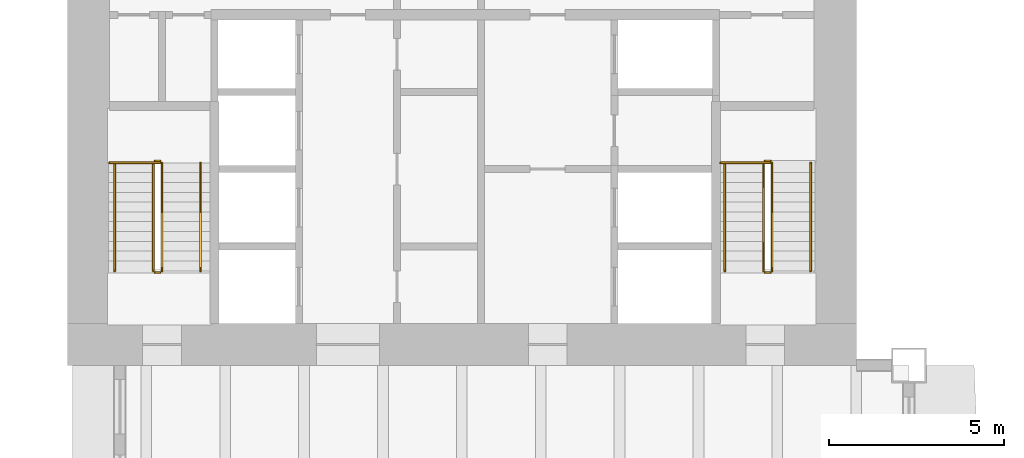
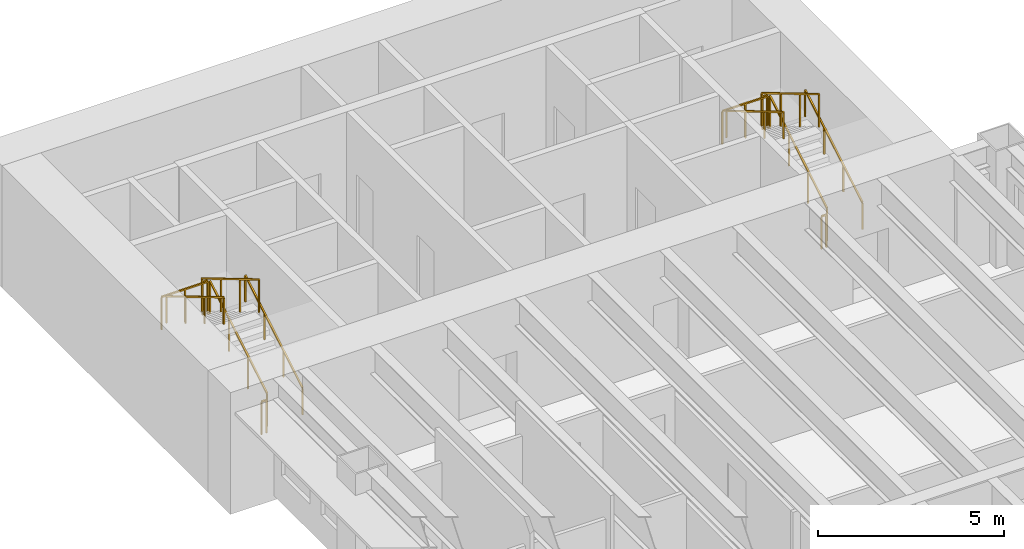
# One storey, part 16 of 16: 14 railings.
"""IFC4 building model written with IfcOpenShell, lengths in metres."""

import ifcopenshell
import ifcopenshell.guid

model = None  # the IFC model being written
_history = None  # IfcOwnerHistory: only IFC2X3 demands one
_inside = {}  # id of a spatial element -> (the spatial element, [elements in it])
_under = {}  # id of a project, library or spatial element -> (it, [spatial elements below it])
_declared = {}  # id of a project -> (the project, [libraries it declares])
_typed = {}  # id of a type object -> (the type object, [elements of that type])
_made_of = {}  # id of a material, layer set ... -> (it, [elements and type objects made of it])


def new_model(schema):
    """Start an empty IFC model of exactly this schema.

    Asked for "IFC4X3", IfcOpenShell would pick the latest addendum, in which some entities
    have other attributes; the version numbers below select the first issue.
    IFC2X3 requires an IfcOwnerHistory on every rooted entity: one is made here for all.
    """
    global model, _history
    if schema == "IFC4X3":
        model = ifcopenshell.file(schema_version=(4, 3, 0, 0))
    else:
        model = ifcopenshell.file(schema=schema)
    _inside.clear()
    _under.clear()
    _declared.clear()
    _typed.clear()
    _made_of.clear()
    _history = None
    if model.schema == "IFC2X3":
        org = make("IfcOrganization", Name="unknown")
        user = make(
            "IfcPersonAndOrganization",
            ThePerson=make("IfcPerson", FamilyName="unknown"),
            TheOrganization=org,
        )
        app = make(
            "IfcApplication",
            ApplicationDeveloper=org,
            Version="unknown",
            ApplicationFullName="unknown",
            ApplicationIdentifier="unknown",
        )
        _history = make(
            "IfcOwnerHistory",
            OwningUser=user,
            OwningApplication=app,
            ChangeAction="ADDED",
            CreationDate=0,
        )
    return model


def make(cls, **values):
    """One entity of the class cls with the attributes given. An attribute that is None is left unset."""
    return model.create_entity(
        cls, **{name: value for name, value in values.items() if value is not None}
    )


def rooted(cls, **values):
    """An entity with a GlobalId (a new one), such as an element, a storey or a relation."""
    return make(cls, GlobalId=ifcopenshell.guid.new(), OwnerHistory=_history, **values)


def si_unit(unit_type, name, prefix=None):
    """IfcSIUnit, for example si_unit("LENGTHUNIT", "METRE", prefix="MILLI")."""
    return make("IfcSIUnit", UnitType=unit_type, Prefix=prefix, Name=name)


def assignment(units):
    """IfcUnitAssignment: the units of a project."""
    return None if units is None else make("IfcUnitAssignment", Units=units)


def point(xyz):
    """IfcCartesianPoint."""
    return None if xyz is None else make("IfcCartesianPoint", Coordinates=xyz)


def direction(xyz):
    """IfcDirection."""
    return None if xyz is None else make("IfcDirection", DirectionRatios=xyz)


def frame(location, z_axis=None, x_axis=None):
    """IfcAxis2Placement3D, a coordinate frame: its origin and axes. An axis left out is left unset."""
    return make(
        "IfcAxis2Placement3D",
        Location=point(location),
        Axis=direction(z_axis),
        RefDirection=direction(x_axis),
    )


def frame_2d(location, x_axis=None):
    """IfcAxis2Placement2D, a coordinate frame in the plane: its origin and x axis."""
    return make(
        "IfcAxis2Placement2D", Location=point(location), RefDirection=direction(x_axis)
    )


def origin():
    """The frame at (0, 0, 0) with its axes left unset."""
    return frame((0.0, 0.0, 0.0))


def origin_2d():
    """The frame at (0, 0) in the plane with its x axis left unset."""
    return frame_2d((0.0, 0.0))


def place(relative_to, where):
    """IfcLocalPlacement: puts the frame where relative to a parent placement (None: the world)."""
    return make(
        "IfcLocalPlacement", PlacementRelTo=relative_to, RelativePlacement=where
    )


def context(
    kind, dimensions, precision=None, world=None, true_north=None, identifier=None
):
    """IfcGeometricRepresentationContext, for example the 3D "Model" context."""
    return make(
        "IfcGeometricRepresentationContext",
        ContextIdentifier=identifier,
        ContextType=kind,
        CoordinateSpaceDimension=dimensions,
        Precision=precision,
        WorldCoordinateSystem=world,
        TrueNorth=true_north,
    )


def subcontext(parent, identifier, kind, view, scale=None):
    """IfcGeometricRepresentationSubContext, for example "Body" below "Model"."""
    return make(
        "IfcGeometricRepresentationSubContext",
        ContextIdentifier=identifier,
        ContextType=kind,
        ParentContext=parent,
        TargetScale=scale,
        TargetView=view,
    )


def project(units=None, contexts=None):
    """IfcProject with its units and contexts."""
    return rooted(
        "IfcProject",
        Name="project",
        RepresentationContexts=contexts,
        UnitsInContext=assignment(units),
    )


def spatial(cls, under=None, at=None, **own):
    """A site, building, storey or space (cls), placed at a placement, below another one or the project."""
    s = rooted(cls, ObjectPlacement=at, **own)
    if under is not None:
        _under.setdefault(under.id(), (under, []))[1].append(s)
    return s


def profile(cls, at=None, kind="AREA", **sizes):
    """A parametric profile (cls). Its sizes go by their IFC names, for example OverallWidth=200.0."""
    return make(cls, ProfileType=kind, Position=at, **sizes)


def rectangle(**sizes):
    """IfcRectangleProfileDef."""
    return profile("IfcRectangleProfileDef", **sizes)


def extrude(swept, where, along, depth):
    """IfcExtrudedAreaSolid: the profile swept, set in the frame where, extruded along a direction by depth."""
    return make(
        "IfcExtrudedAreaSolid",
        SweptArea=swept,
        Position=where,
        ExtrudedDirection=direction(along),
        Depth=depth,
    )


def shape(context_of_items, identifier, shape_type, items):
    """IfcShapeRepresentation: the items that make up one representation, for example the "Body"."""
    return make(
        "IfcShapeRepresentation",
        ContextOfItems=context_of_items,
        RepresentationIdentifier=identifier,
        RepresentationType=shape_type,
        Items=items,
    )


def material(Name=None, Category=None):
    """IfcMaterial."""
    return make("IfcMaterial", Name=Name, Category=Category)


def made_of(thing, what):
    """Note that an element or type object is made of a material, layer set ...; save() writes the relation."""
    if what is not None:
        _made_of.setdefault(what.id(), (what, []))[1].append(thing)
    return thing


def type_object(cls, material=None, **own):
    """A type object (cls), such as IfcWallType, which elements share."""
    return made_of(rooted(cls, **own), material)


def element(
    cls,
    number,
    at=None,
    inside=None,
    cuts=None,
    type_object=None,
    material=None,
    context=None,
    identifier="Body",
    shape_type=None,
    held_by="IfcProductDefinitionShape",
    body=None,
    shapes=None,
    **own,
):
    """One element of the class cls, such as IfcWall. Its Tag is "e" and its number.

    at: its placement. inside: the storey or other place that contains it. cuts: it is an
    opening in that element (IfcRelVoidsElement). A single representation is given by context,
    identifier, shape_type and body (its items); several are given by shapes. held_by: the class
    of the entity that holds the representations. save() writes the other relations.
    """
    e = rooted(cls, Tag="e%d" % number, ObjectPlacement=at, **own)
    if body is not None:
        shapes = [shape(context, identifier, shape_type, body)]
    if shapes is not None:
        e.Representation = make(held_by, Representations=shapes)
    if inside is not None:
        _inside.setdefault(inside.id(), (inside, []))[1].append(e)
    if cuts is not None:
        rooted(
            "IfcRelVoidsElement", RelatingBuildingElement=cuts, RelatedOpeningElement=e
        )
    if type_object is not None:
        _typed.setdefault(type_object.id(), (type_object, []))[1].append(e)
    return made_of(e, material)


def aggregate(whole, parts):
    """IfcRelAggregates: a whole, such as a stair, and the parts it consists of."""
    return rooted("IfcRelAggregates", RelatingObject=whole, RelatedObjects=parts)


def save(model, path):
    """Write the relations noted so far, then the file.

    IfcRelAggregates (storeys below a building ...), IfcRelContainedInSpatialStructure (elements
    in a storey), IfcRelDefinesByType, IfcRelAssociatesMaterial and IfcRelDeclares: one each for
    every whole, place, type object, material and project.
    """
    for whole, parts in _under.values():
        aggregate(whole, parts)
    for where, things in _inside.values():
        rooted(
            "IfcRelContainedInSpatialStructure",
            RelatedElements=things,
            RelatingStructure=where,
        )
    for kind, things in _typed.values():
        rooted("IfcRelDefinesByType", RelatedObjects=things, RelatingType=kind)
    for what, things in _made_of.values():
        rooted("IfcRelAssociatesMaterial", RelatedObjects=things, RelatingMaterial=what)
    for by, libraries in _declared.values():
        rooted("IfcRelDeclares", RelatingContext=by, RelatedDefinitions=libraries)
    model.write(path)


model = new_model("IFC4")

# Units and contexts
model_context = context("Model", 3, precision=1e-05, world=origin(), true_north=direction((0.0, 1.0)))
body_context = subcontext(model_context, "Body", "Model", "MODEL_VIEW")
ifc_project = project(units=[si_unit("LENGTHUNIT", "METRE"), si_unit("AREAUNIT", "SQUARE_METRE"), si_unit("VOLUMEUNIT", "CUBIC_METRE"), si_unit("PLANEANGLEUNIT", "RADIAN"), si_unit("MASSUNIT", "GRAM", prefix="KILO")], contexts=[model_context])

# Site, building, storey
site_placement = place(None, origin())
site = spatial("IfcSite", under=ifc_project, at=site_placement, CompositionType="ELEMENT")
building_placement = place(site_placement, origin())
building = spatial("IfcBuilding", under=site, at=building_placement, Name="Sennacour Bend Tower", CompositionType="ELEMENT")
storey_placement = place(building_placement, frame((0.0, 0.0, 103.0)))
storey = spatial("IfcBuildingStorey", under=building, at=storey_placement, Name="L23", CompositionType="ELEMENT", Elevation=103.0)

# Railings
ifc_material = material(Name="Stainless steel", Category="steel")
railing_type_1 = type_object("IfcRailingType", Name="RL-GUARD-1100", PredefinedType="GUARDRAIL", material=ifc_material)
railing_1_placement = place(storey_placement, frame((2.699951171875, 38.699951171875, 0.166748046875)))
element("IfcRailing", 1, at=railing_1_placement, inside=storey, type_object=railing_type_1, Name="L23 SB1 stair guard 1", PredefinedType="GUARDRAIL", context=body_context, shape_type="SweptSolid", body=[
    extrude(rectangle(XDim=0.048095703125, YDim=0.048095703125, at=origin_2d()), frame((0.0, 0.0, 1.076171875), z_axis=(0.0, 0.859308565015, 0.511457515432), x_axis=(-1.0, 0.0, 0.0)), (0.0, 0.0, 1.0), 3.58447265625),
    extrude(rectangle(XDim=0.0419921875, YDim=0.0419921875, at=origin_2d()), origin(), (0.0, 0.0, 1.0), 1.052001953125),
    extrude(rectangle(XDim=0.0419921875, YDim=0.0419921875, at=origin_2d()), frame((0.0, 1.026611328125, 0.611083984375)), (0.0, 0.0, 1.0), 1.052001953125),
    extrude(rectangle(XDim=0.0419921875, YDim=0.0419921875, at=origin_2d()), frame((0.0, 2.053466796875, 1.22216796875)), (0.0, 0.0, 1.0), 1.052001953125),
    extrude(rectangle(XDim=0.0419921875, YDim=0.0419921875, at=origin_2d()), frame((0.0, 3.080078125, 1.833251953125)), (0.0, 0.0, 1.0), 1.052001953125),
])
railing_2_placement = place(storey_placement, frame((2.64990234375, 41.830078125, 2.0)))
element("IfcRailing", 2, at=railing_2_placement, inside=storey, type_object=railing_type_1, Name="L23 SB1 stair guard 2", PredefinedType="GUARDRAIL", context=body_context, shape_type="SweptSolid", body=[
    extrude(rectangle(XDim=0.048095703125, YDim=0.048095703125, at=origin_2d()), frame((0.0, 0.0, 1.076171875), z_axis=(-1.0, 0.0, 0.0), x_axis=(0.0, -1.0, 0.0)), (0.0, 0.0, 1.0), 0.14990234375),
    extrude(rectangle(XDim=0.0419921875, YDim=0.0419921875, at=origin_2d()), origin(), (0.0, 0.0, 1.0), 1.052001953125),
    extrude(rectangle(XDim=0.0419921875, YDim=0.0419921875, at=origin_2d()), frame((-0.14990234375, 0.0, 0.0)), (0.0, 0.0, 1.0), 1.052001953125),
])
railing_3_placement = place(storey_placement, frame((2.449951171875, 41.780029296875, 2.166748046875)))
element("IfcRailing", 3, at=railing_3_placement, inside=storey, type_object=railing_type_1, Name="L23 SB1 stair guard 4", PredefinedType="GUARDRAIL", context=body_context, shape_type="SweptSolid", body=[
    extrude(rectangle(XDim=0.048095703125, YDim=0.048095703125, at=origin_2d()), frame((0.0, 0.0, 1.076171875), z_axis=(0.0, -0.859308565015, 0.511457515432), x_axis=(1.0, 0.0, 0.0)), (0.0, 0.0, 1.0), 3.58447265625),
    extrude(rectangle(XDim=0.0419921875, YDim=0.0419921875, at=origin_2d()), origin(), (0.0, 0.0, 1.0), 1.052001953125),
    extrude(rectangle(XDim=0.0419921875, YDim=0.0419921875, at=origin_2d()), frame((0.0, -1.026611328125, 0.611083984375)), (0.0, 0.0, 1.0), 1.052001953125),
    extrude(rectangle(XDim=0.0419921875, YDim=0.0419921875, at=origin_2d()), frame((0.0, -2.053466796875, 1.22216796875)), (0.0, 0.0, 1.0), 1.052001953125),
    extrude(rectangle(XDim=0.0419921875, YDim=0.0419921875, at=origin_2d()), frame((0.0, -3.080078125, 1.833251953125)), (0.0, 0.0, 1.0), 1.052001953125),
])
railing_4_placement = place(storey_placement, frame((2.64990234375, 38.64990234375, 0.0)))
element("IfcRailing", 4, at=railing_4_placement, inside=storey, type_object=railing_type_1, Name="L23 SB1 stair guard 5", PredefinedType="GUARDRAIL", context=body_context, shape_type="SweptSolid", body=[
    extrude(rectangle(XDim=0.048095703125, YDim=0.048095703125, at=origin_2d()), frame((0.0, 0.0, 1.076171875), z_axis=(-1.0, 0.0, 0.0), x_axis=(0.0, -1.0, 0.0)), (0.0, 0.0, 1.0), 0.14990234375),
    extrude(rectangle(XDim=0.0419921875, YDim=0.0419921875, at=origin_2d()), origin(), (0.0, 0.0, 1.0), 1.052001953125),
    extrude(rectangle(XDim=0.0419921875, YDim=0.0419921875, at=origin_2d()), frame((-0.14990234375, 0.0, 0.0)), (0.0, 0.0, 1.0), 1.052001953125),
])
railing_5_placement = place(storey_placement, frame((2.64990234375, 41.780029296875, 2.0)))
element("IfcRailing", 5, at=railing_5_placement, inside=storey, type_object=railing_type_1, Name="L23 SB1 landing edge guard 46", PredefinedType="GUARDRAIL", context=body_context, shape_type="SweptSolid", body=[
    extrude(rectangle(XDim=0.048095703125, YDim=0.048095703125, at=origin_2d()), frame((0.0, 0.0, 1.076171875), z_axis=(-1.0, 0.0, 0.0), x_axis=(0.0, -1.0, 0.0)), (0.0, 0.0, 1.0), 1.449951171875),
    extrude(rectangle(XDim=0.0419921875, YDim=0.0419921875, at=origin_2d()), origin(), (0.0, 0.0, 1.0), 1.052001953125),
    extrude(rectangle(XDim=0.0419921875, YDim=0.0419921875, at=origin_2d()), frame((-0.72509765625, 0.0, 0.0)), (0.0, 0.0, 1.0), 1.052001953125),
    extrude(rectangle(XDim=0.0419921875, YDim=0.0419921875, at=origin_2d()), frame((-1.449951171875, 0.0, 0.0)), (0.0, 0.0, 1.0), 1.052001953125),
])
railing_6_placement = place(storey_placement, frame((20.10009765625, 38.699951171875, 0.166748046875)))
element("IfcRailing", 6, at=railing_6_placement, inside=storey, type_object=railing_type_1, Name="L23 SB2 stair guard 1", PredefinedType="GUARDRAIL", context=body_context, shape_type="SweptSolid", body=[
    extrude(rectangle(XDim=0.048095703125, YDim=0.048095703125, at=origin_2d()), frame((0.0, 0.0, 1.076171875), z_axis=(0.0, 0.859308565015, 0.511457515432), x_axis=(-1.0, 0.0, 0.0)), (0.0, 0.0, 1.0), 3.58447265625),
    extrude(rectangle(XDim=0.0419921875, YDim=0.0419921875, at=origin_2d()), origin(), (0.0, 0.0, 1.0), 1.052001953125),
    extrude(rectangle(XDim=0.0419921875, YDim=0.0419921875, at=origin_2d()), frame((0.0, 1.026611328125, 0.611083984375)), (0.0, 0.0, 1.0), 1.052001953125),
    extrude(rectangle(XDim=0.0419921875, YDim=0.0419921875, at=origin_2d()), frame((0.0, 2.053466796875, 1.22216796875)), (0.0, 0.0, 1.0), 1.052001953125),
    extrude(rectangle(XDim=0.0419921875, YDim=0.0419921875, at=origin_2d()), frame((0.0, 3.080078125, 1.833251953125)), (0.0, 0.0, 1.0), 1.052001953125),
])
railing_7_placement = place(storey_placement, frame((20.050048828125, 41.830078125, 2.0)))
element("IfcRailing", 7, at=railing_7_placement, inside=storey, type_object=railing_type_1, Name="L23 SB2 stair guard 2", PredefinedType="GUARDRAIL", context=body_context, shape_type="SweptSolid", body=[
    extrude(rectangle(XDim=0.048095703125, YDim=0.048095703125, at=origin_2d()), frame((0.0, 0.0, 1.076171875), z_axis=(-1.0, 0.0, 0.0), x_axis=(0.0, -1.0, 0.0)), (0.0, 0.0, 1.0), 0.150146484375),
    extrude(rectangle(XDim=0.0419921875, YDim=0.0419921875, at=origin_2d()), origin(), (0.0, 0.0, 1.0), 1.052001953125),
    extrude(rectangle(XDim=0.0419921875, YDim=0.0419921875, at=origin_2d()), frame((-0.150146484375, 0.0, 0.0)), (0.0, 0.0, 1.0), 1.052001953125),
])
railing_8_placement = place(storey_placement, frame((19.85009765625, 41.780029296875, 2.166748046875)))
element("IfcRailing", 8, at=railing_8_placement, inside=storey, type_object=railing_type_1, Name="L23 SB2 stair guard 4", PredefinedType="GUARDRAIL", context=body_context, shape_type="SweptSolid", body=[
    extrude(rectangle(XDim=0.048095703125, YDim=0.048095703125, at=origin_2d()), frame((0.0, 0.0, 1.076171875), z_axis=(0.0, -0.859308565015, 0.511457515432), x_axis=(1.0, 0.0, 0.0)), (0.0, 0.0, 1.0), 3.58447265625),
    extrude(rectangle(XDim=0.0419921875, YDim=0.0419921875, at=origin_2d()), origin(), (0.0, 0.0, 1.0), 1.052001953125),
    extrude(rectangle(XDim=0.0419921875, YDim=0.0419921875, at=origin_2d()), frame((0.0, -1.026611328125, 0.611083984375)), (0.0, 0.0, 1.0), 1.052001953125),
    extrude(rectangle(XDim=0.0419921875, YDim=0.0419921875, at=origin_2d()), frame((0.0, -2.053466796875, 1.22216796875)), (0.0, 0.0, 1.0), 1.052001953125),
    extrude(rectangle(XDim=0.0419921875, YDim=0.0419921875, at=origin_2d()), frame((0.0, -3.080078125, 1.833251953125)), (0.0, 0.0, 1.0), 1.052001953125),
])
railing_9_placement = place(storey_placement, frame((20.050048828125, 38.64990234375, 0.0)))
element("IfcRailing", 9, at=railing_9_placement, inside=storey, type_object=railing_type_1, Name="L23 SB2 stair guard 5", PredefinedType="GUARDRAIL", context=body_context, shape_type="SweptSolid", body=[
    extrude(rectangle(XDim=0.048095703125, YDim=0.048095703125, at=origin_2d()), frame((0.0, 0.0, 1.076171875), z_axis=(-1.0, 0.0, 0.0), x_axis=(0.0, -1.0, 0.0)), (0.0, 0.0, 1.0), 0.150146484375),
    extrude(rectangle(XDim=0.0419921875, YDim=0.0419921875, at=origin_2d()), origin(), (0.0, 0.0, 1.0), 1.052001953125),
    extrude(rectangle(XDim=0.0419921875, YDim=0.0419921875, at=origin_2d()), frame((-0.150146484375, 0.0, 0.0)), (0.0, 0.0, 1.0), 1.052001953125),
])
railing_10_placement = place(storey_placement, frame((20.050048828125, 41.780029296875, 2.0)))
element("IfcRailing", 10, at=railing_10_placement, inside=storey, type_object=railing_type_1, Name="L23 SB2 landing edge guard 36", PredefinedType="GUARDRAIL", context=body_context, shape_type="SweptSolid", body=[
    extrude(rectangle(XDim=0.048095703125, YDim=0.048095703125, at=origin_2d()), frame((0.0, 0.0, 1.076171875), z_axis=(-1.0, 0.0, 0.0), x_axis=(0.0, -1.0, 0.0)), (0.0, 0.0, 1.0), 1.425048828125),
    extrude(rectangle(XDim=0.0419921875, YDim=0.0419921875, at=origin_2d()), origin(), (0.0, 0.0, 1.0), 1.052001953125),
    extrude(rectangle(XDim=0.0419921875, YDim=0.0419921875, at=origin_2d()), frame((-0.71240234375, 0.0, 0.0)), (0.0, 0.0, 1.0), 1.052001953125),
    extrude(rectangle(XDim=0.0419921875, YDim=0.0419921875, at=origin_2d()), frame((-1.425048828125, 0.0, 0.0)), (0.0, 0.0, 1.0), 1.052001953125),
])
railing_type_2 = type_object("IfcRailingType", Name="RL-HANDRAIL-900", PredefinedType="HANDRAIL", material=ifc_material)
railing_11_placement = place(storey_placement, frame((3.800048828125, 38.699951171875, 0.166748046875)))
element("IfcRailing", 11, at=railing_11_placement, inside=storey, type_object=railing_type_2, Name="L23 SB1 stair handrail 1", PredefinedType="HANDRAIL", context=body_context, shape_type="SweptSolid", body=[
    extrude(rectangle(XDim=0.048095703125, YDim=0.048095703125, at=origin_2d()), frame((0.0, 0.0, 0.8759765625), z_axis=(0.0, 0.859308565015, 0.511457515432), x_axis=(-1.0, 0.0, 0.0)), (0.0, 0.0, 1.0), 3.58447265625),
    extrude(rectangle(XDim=0.0419921875, YDim=0.0419921875, at=origin_2d()), origin(), (0.0, 0.0, 1.0), 0.851806640625),
    extrude(rectangle(XDim=0.0419921875, YDim=0.0419921875, at=origin_2d()), frame((0.0, 1.026611328125, 0.611083984375)), (0.0, 0.0, 1.0), 0.851806640625),
    extrude(rectangle(XDim=0.0419921875, YDim=0.0419921875, at=origin_2d()), frame((0.0, 2.053466796875, 1.22216796875)), (0.0, 0.0, 1.0), 0.851806640625),
    extrude(rectangle(XDim=0.0419921875, YDim=0.0419921875, at=origin_2d()), frame((0.0, 3.080078125, 1.833251953125)), (0.0, 0.0, 1.0), 0.851806640625),
])
railing_12_placement = place(storey_placement, frame((1.35009765625, 41.780029296875, 2.166748046875)))
element("IfcRailing", 12, at=railing_12_placement, inside=storey, type_object=railing_type_2, Name="L23 SB1 stair handrail 2", PredefinedType="HANDRAIL", context=body_context, shape_type="SweptSolid", body=[
    extrude(rectangle(XDim=0.048095703125, YDim=0.048095703125, at=origin_2d()), frame((0.0, 0.0, 0.8759765625), z_axis=(0.0, -0.859308565015, 0.511457515432), x_axis=(1.0, 0.0, 0.0)), (0.0, 0.0, 1.0), 3.58447265625),
    extrude(rectangle(XDim=0.0419921875, YDim=0.0419921875, at=origin_2d()), origin(), (0.0, 0.0, 1.0), 0.851806640625),
    extrude(rectangle(XDim=0.0419921875, YDim=0.0419921875, at=origin_2d()), frame((0.0, -1.026611328125, 0.611083984375)), (0.0, 0.0, 1.0), 0.851806640625),
    extrude(rectangle(XDim=0.0419921875, YDim=0.0419921875, at=origin_2d()), frame((0.0, -2.053466796875, 1.22216796875)), (0.0, 0.0, 1.0), 0.851806640625),
    extrude(rectangle(XDim=0.0419921875, YDim=0.0419921875, at=origin_2d()), frame((0.0, -3.080078125, 1.833251953125)), (0.0, 0.0, 1.0), 0.851806640625),
])
railing_13_placement = place(storey_placement, frame((21.199951171875, 38.699951171875, 0.166748046875)))
element("IfcRailing", 13, at=railing_13_placement, inside=storey, type_object=railing_type_2, Name="L23 SB2 stair handrail 1", PredefinedType="HANDRAIL", context=body_context, shape_type="SweptSolid", body=[
    extrude(rectangle(XDim=0.048095703125, YDim=0.048095703125, at=origin_2d()), frame((0.0, 0.0, 0.8759765625), z_axis=(0.0, 0.859308565015, 0.511457515432), x_axis=(-1.0, 0.0, 0.0)), (0.0, 0.0, 1.0), 3.58447265625),
    extrude(rectangle(XDim=0.0419921875, YDim=0.0419921875, at=origin_2d()), origin(), (0.0, 0.0, 1.0), 0.851806640625),
    extrude(rectangle(XDim=0.0419921875, YDim=0.0419921875, at=origin_2d()), frame((0.0, 1.026611328125, 0.611083984375)), (0.0, 0.0, 1.0), 0.851806640625),
    extrude(rectangle(XDim=0.0419921875, YDim=0.0419921875, at=origin_2d()), frame((0.0, 2.053466796875, 1.22216796875)), (0.0, 0.0, 1.0), 0.851806640625),
    extrude(rectangle(XDim=0.0419921875, YDim=0.0419921875, at=origin_2d()), frame((0.0, 3.080078125, 1.833251953125)), (0.0, 0.0, 1.0), 0.851806640625),
])
railing_14_placement = place(storey_placement, frame((18.75, 41.780029296875, 2.166748046875)))
element("IfcRailing", 14, at=railing_14_placement, inside=storey, type_object=railing_type_2, Name="L23 SB2 stair handrail 2", PredefinedType="HANDRAIL", context=body_context, shape_type="SweptSolid", body=[
    extrude(rectangle(XDim=0.048095703125, YDim=0.048095703125, at=origin_2d()), frame((0.0, 0.0, 0.8759765625), z_axis=(0.0, -0.859308565015, 0.511457515432), x_axis=(1.0, 0.0, 0.0)), (0.0, 0.0, 1.0), 3.58447265625),
    extrude(rectangle(XDim=0.0419921875, YDim=0.0419921875, at=origin_2d()), origin(), (0.0, 0.0, 1.0), 0.851806640625),
    extrude(rectangle(XDim=0.0419921875, YDim=0.0419921875, at=origin_2d()), frame((0.0, -1.026611328125, 0.611083984375)), (0.0, 0.0, 1.0), 0.851806640625),
    extrude(rectangle(XDim=0.0419921875, YDim=0.0419921875, at=origin_2d()), frame((0.0, -2.053466796875, 1.22216796875)), (0.0, 0.0, 1.0), 0.851806640625),
    extrude(rectangle(XDim=0.0419921875, YDim=0.0419921875, at=origin_2d()), frame((0.0, -3.080078125, 1.833251953125)), (0.0, 0.0, 1.0), 0.851806640625),
])

save(model, "model.ifc")
